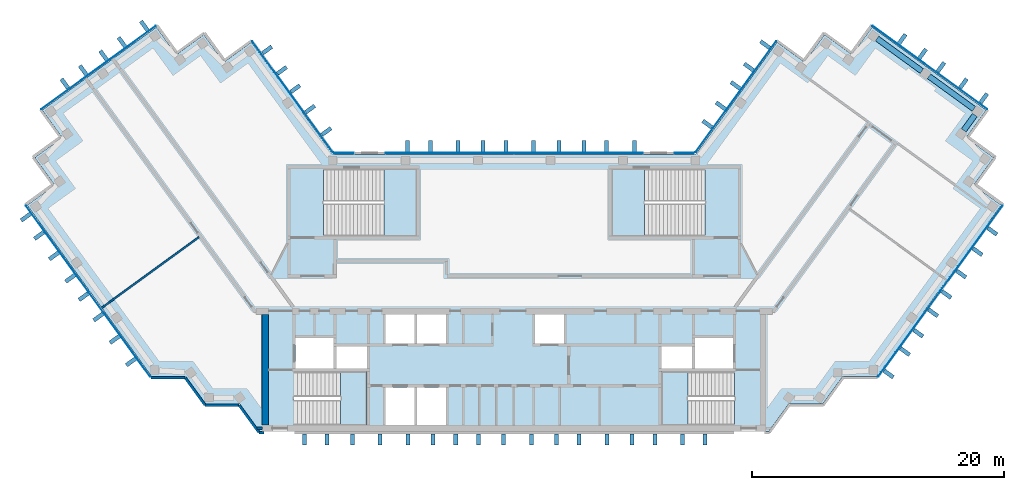
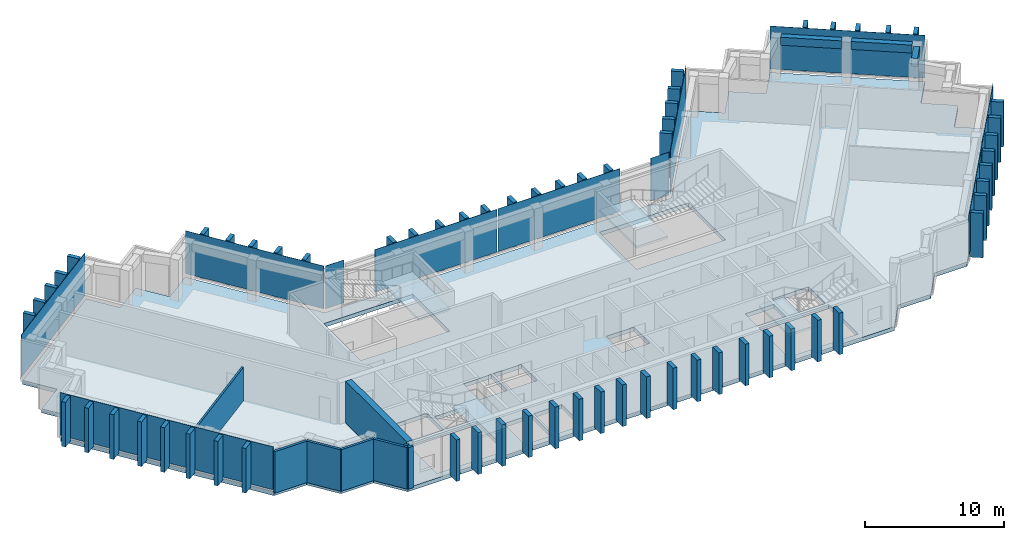
"""IFC4 building model written with IfcOpenShell, lengths in metres."""

from ifc_helpers import new_model, si_unit, direction, frame, frame_2d, origin, origin_2d, place, context, subcontext, project, spatial, polyline, rectangle, outline, extrude, material, layer, layer_set, material_profile, profile_set, type_object, element, aggregate, save


model = new_model("IFC4")

# Units and contexts
model_context = context("Model", 3, precision=1e-05, world=origin(), true_north=direction((0.0, 1.0)))
body_context = subcontext(model_context, "Body", "Model", "MODEL_VIEW")
ifc_project = project(units=[si_unit("LENGTHUNIT", "METRE"), si_unit("AREAUNIT", "SQUARE_METRE"), si_unit("VOLUMEUNIT", "CUBIC_METRE"), si_unit("PLANEANGLEUNIT", "RADIAN"), si_unit("MASSUNIT", "GRAM", prefix="KILO")], contexts=[model_context])

# Site, building, storey
site_placement = place(None, origin())
site = spatial("IfcSite", under=ifc_project, at=site_placement, CompositionType="ELEMENT")
building_placement = place(site_placement, origin())
building = spatial("IfcBuilding", under=site, at=building_placement, Name="Quipu Civic Tower", CompositionType="ELEMENT")
storey_1_placement = place(building_placement, frame((0.0, 0.0, 281.0)))
storey_1 = spatial("IfcBuildingStorey", under=building, at=storey_1_placement, Name="L65", CompositionType="ELEMENT", Elevation=281.0)

# Beams
ifc_material_1 = material(Name="Concrete C50/60", Category="concrete")
ifc_material_profile = material_profile(ifc_material_1, rectangle(XDim=0.449951171875, YDim=0.699951171875, at=origin_2d()), Name="RC450x700")
ifc_profile_set = profile_set([ifc_material_profile], Name="Concrete C50/60")
beam_type = type_object("IfcBeamType", Name="Spandrel beam RC 450x700 C50/60", PredefinedType="SPANDREL", material=ifc_profile_set)
beam_1_placement = place(storey_1_placement, frame((35.6767578125, 12.8994140625, 3.300048828125), z_axis=(0.588345920092, 0.808609348394, 0.0), x_axis=(-0.808609348394, 0.588345920092, 0.0)))
element("IfcBeam", 1, at=beam_1_placement, inside=storey_1, type_object=beam_type, Name="Spandrel beam L65 T-Eo.3-E22 to T-Eo.4-E22", PredefinedType="SPANDREL", context=body_context, shape_type="SweptSolid", body=[
    extrude(rectangle(XDim=0.449951171875, YDim=0.699951171875, at=origin_2d()), origin(), (0.0, 0.0, 1.0), 1.499755859375),
])
beam_2_placement = place(storey_1_placement, frame((36.481689453125, 14.6005859375, 3.300048828125), z_axis=(-0.809117270763, 0.587647208921, 0.0), x_axis=(-0.587647208921, -0.809117270763, 0.0)))
element("IfcBeam", 2, at=beam_2_placement, inside=storey_1, type_object=beam_type, Name="Spandrel beam L65 T-Eo.4-E22 to TIP-E-01-E22", PredefinedType="SPANDREL", context=body_context, shape_type="SweptSolid", body=[
    extrude(rectangle(XDim=0.449951171875, YDim=0.699951171875, at=origin_2d()), origin(), (0.0, 0.0, 1.0), 4.40185546875),
])
beam_3_placement = place(storey_1_placement, frame((32.353759765625, 17.5986328125, 3.300048828125), z_axis=(-0.809146152767, 0.587607439931, 0.0), x_axis=(-0.587607439931, -0.809146152767, 0.0)))
element("IfcBeam", 3, at=beam_3_placement, inside=storey_1, type_object=beam_type, Name="Spandrel beam L65 TIP-E-01-E22 to T-Ei.0-E22", PredefinedType="SPANDREL", context=body_context, shape_type="SweptSolid", body=[
    extrude(rectangle(XDim=0.449951171875, YDim=0.699951171875, at=origin_2d()), origin(), (0.0, 0.0, 1.0), 4.400390625),
])

# Slab
ifc_material_2 = material(Name="Concrete C40/50", Category="concrete")
ifc_layer_1 = layer(ifc_material_2, 0.35009765625)
ifc_layer_set_1 = layer_set([ifc_layer_1], Name="Concrete C40/50")
slab_type_1 = type_object("IfcSlabType", Name="Floor slab 350 C40/50", PredefinedType="FLOOR", material=ifc_layer_set_1)
slab_1_placement = place(storey_1_placement, frame((0.0, 0.0, -0.35009765625)))
element("IfcSlab", 4, at=slab_1_placement, inside=storey_1, type_object=slab_type_1, Name="Floor slab L65", PredefinedType="FLOOR", context=body_context, shape_type="SweptSolid", body=[
    extrude(outline(polyline([(20.860107421875, 19.89501953125), (23.0400390625, 18.31005859375), (24.6298828125, 20.4951171875), (26.81494140625, 18.905029296875), (28.39990234375, 21.090087890625), (37.4599609375, 14.5048828125), (35.875, 12.320068359375), (38.06005859375, 10.735107421875), (36.469970703125, 8.550048828125), (38.655029296875, 6.965087890625), (28.780029296875, -6.6298828125), (26.080078125, -6.6298828125), (24.489990234375, -8.81494140625), (21.7900390625, -8.81494140625), (20.205078125, -11.0), (-20.205078125, -11.0), (-21.7900390625, -8.81494140625), (-24.489990234375, -8.81494140625), (-26.080078125, -6.6298828125), (-28.780029296875, -6.6298828125), (-38.655029296875, 6.965087890625), (-36.469970703125, 8.550048828125), (-38.06005859375, 10.735107421875), (-35.875, 12.320068359375), (-37.4599609375, 14.5048828125), (-28.39990234375, 21.090087890625), (-26.81494140625, 18.905029296875), (-24.6298828125, 20.4951171875), (-23.0400390625, 18.31005859375), (-20.860107421875, 19.89501953125), (-14.39501953125, 11.0), (14.39501953125, 11.0), (20.860107421875, 19.89501953125)]), holes=[polyline([(-10.199951171875, -10.5), (-7.89990234375, -10.5), (-7.89990234375, -7.5), (-10.199951171875, -7.5), (-10.199951171875, -10.5)]), polyline([(-7.699951171875, -7.5), (-7.699951171875, -10.5), (-5.39990234375, -10.5), (-5.39990234375, -7.5), (-7.699951171875, -7.5)]), polyline([(-11.705078125, -6.2548828125), (-17.4951171875, -6.2548828125), (-17.4951171875, -10.4951171875), (-11.705078125, -10.4951171875), (-11.705078125, -6.2548828125)]), polyline([(-14.10009765625, -6.0), (-11.699951171875, -6.0), (-11.699951171875, -4.25), (-14.10009765625, -4.25), (-14.10009765625, -6.0)]), polyline([(-17.35009765625, -3.60009765625), (-17.35009765625, -6.0), (-14.35009765625, -6.0), (-14.35009765625, -3.60009765625), (-17.35009765625, -3.60009765625)]), polyline([(-10.199951171875, -1.699951171875), (-10.199951171875, -4.0), (-7.89990234375, -4.0), (-7.89990234375, -1.699951171875), (-10.199951171875, -1.699951171875)]), polyline([(-15.14501953125, 9.844970703125), (-15.14501953125, 4.5048828125), (-7.7548828125, 4.5048828125), (-7.7548828125, 9.844970703125), (-15.14501953125, 9.844970703125)]), polyline([(11.705078125, -10.4951171875), (17.4951171875, -10.4951171875), (17.4951171875, -6.2548828125), (11.705078125, -6.2548828125), (11.705078125, -10.4951171875)]), polyline([(11.699951171875, -4.25), (11.699951171875, -6.0), (14.10009765625, -6.0), (14.10009765625, -4.25), (11.699951171875, -4.25)]), polyline([(14.35009765625, -3.60009765625), (14.35009765625, -6.0), (17.35009765625, -6.0), (17.35009765625, -3.60009765625), (14.35009765625, -3.60009765625)]), polyline([(-7.699951171875, -1.699951171875), (-7.699951171875, -4.0), (-5.39990234375, -4.0), (-5.39990234375, -1.699951171875), (-7.699951171875, -1.699951171875)]), polyline([(1.64990234375, -1.699951171875), (1.64990234375, -4.0), (3.949951171875, -4.0), (3.949951171875, -1.699951171875), (1.64990234375, -1.699951171875)]), polyline([(7.7548828125, 4.5048828125), (15.14501953125, 4.5048828125), (15.14501953125, 9.844970703125), (7.7548828125, 9.844970703125), (7.7548828125, 4.5048828125)])]), origin(), (0.0, 0.0, 1.0), 0.35009765625),
])

# Storey
storey_2_placement = place(building_placement, frame((0.0, 0.0, 285.0)))
storey_2 = spatial("IfcBuildingStorey", under=building, at=storey_2_placement, Name="L66", CompositionType="ELEMENT", Elevation=285.0)

# Curtain wall, plate
ifc_material_3 = material(Name="Insulated glass unit", Category="glass")
curtain_wall_type = type_object("IfcCurtainWallType", Name="Office curtain wall CW1", PredefinedType="NOTDEFINED", material=ifc_material_3)
curtain_wall_1_placement = place(storey_2_placement, origin())
curtain_wall_1 = element("IfcCurtainWall", 5, at=curtain_wall_1_placement, inside=storey_2, type_object=curtain_wall_type, Name="Office curtain wall CW1 L65 run 1", PredefinedType="NOTDEFINED")
ifc_material_4 = material(Name="Insulated glass unit", Category="glass")
ifc_layer_2 = layer(ifc_material_4, 0.028076171875)
ifc_layer_set_2 = layer_set([ifc_layer_2], Name="Insulated glass unit")
plate_type_1 = type_object("IfcPlateType", Name="Glass panel CW1", PredefinedType="CURTAIN_PANEL", material=ifc_layer_set_2)
plate_1_placement = place(storey_1_placement, frame((-17.590087890625, 15.5673828125, 0.240234375), z_axis=(0.0, 0.0, 1.0), x_axis=(-0.587787771652, 0.809015163947, 0.0)))
plate_1 = element("IfcPlate", 6, at=plate_1_placement, inside=storey_1, type_object=plate_type_1, Name="CW1 panel 1.1", PredefinedType="CURTAIN_PANEL", context=body_context, shape_type="SweptSolid", body=[
    extrude(rectangle(XDim=10.88427734375, YDim=0.028076171875, at=origin_2d()), origin(), (0.0, 0.0, 1.0), 3.760009765625),
])
aggregate(curtain_wall_1, [plate_1])

curtain_wall_2_placement = place(storey_2_placement, origin())
curtain_wall_2 = element("IfcCurtainWall", 7, at=curtain_wall_2_placement, inside=storey_2, type_object=curtain_wall_type, Name="Office curtain wall CW1 L65 run 6", PredefinedType="NOTDEFINED")
plate_2_placement = place(storey_1_placement, frame((-32.989990234375, 17.87939453125, 0.240234375), z_axis=(0.0, 0.0, 1.0), x_axis=(-0.809015176832, -0.587787753918, 0.0)))
plate_2 = element("IfcPlate", 8, at=plate_2_placement, inside=storey_1, type_object=plate_type_1, Name="CW1 panel 1.1", PredefinedType="CURTAIN_PANEL", context=body_context, shape_type="SweptSolid", body=[
    extrude(rectangle(XDim=11.239990234375, YDim=0.028076171875, at=origin_2d()), origin(), (0.0, 0.0, 1.0), 3.760009765625),
])
aggregate(curtain_wall_2, [plate_2])

# Curtain wall, plates
curtain_wall_3_placement = place(storey_2_placement, origin())
curtain_wall_3 = element("IfcCurtainWall", 9, at=curtain_wall_3_placement, inside=storey_2, type_object=curtain_wall_type, Name="Office curtain wall CW1 L65 run 11", PredefinedType="NOTDEFINED")
plate_3_placement = place(storey_1_placement, frame((-36.292724609375, 3.54052734375, 0.240234375), z_axis=(0.0, 0.0, 1.0), x_axis=(0.587786237643, -0.809016278475, 0.0)))
plate_3 = element("IfcPlate", 10, at=plate_3_placement, inside=storey_1, type_object=plate_type_1, Name="CW1 panel 1.1", PredefinedType="CURTAIN_PANEL", context=body_context, shape_type="SweptSolid", body=[
    extrude(rectangle(XDim=8.35791015625, YDim=0.028076171875, at=origin_2d()), origin(), (0.0, 0.0, 1.0), 3.760009765625),
])
plate_4_placement = place(storey_1_placement, frame((-31.333251953125, -3.285888671875, 0.240234375), z_axis=(0.0, 0.0, 1.0), x_axis=(0.587786237643, -0.809016278475, 0.0)))
plate_4 = element("IfcPlate", 11, at=plate_4_placement, inside=storey_1, type_object=plate_type_1, Name="CW1 panel 2.1", PredefinedType="CURTAIN_PANEL", context=body_context, shape_type="SweptSolid", body=[
    extrude(rectangle(XDim=8.35791015625, YDim=0.028076171875, at=origin_2d()), origin(), (0.0, 0.0, 1.0), 3.760009765625),
])
aggregate(curtain_wall_3, [plate_3, plate_4])

curtain_wall_4_placement = place(storey_2_placement, origin())
curtain_wall_4 = element("IfcCurtainWall", 12, at=curtain_wall_4_placement, inside=storey_2, type_object=curtain_wall_type, Name="Office curtain wall CW1 L65 run 23", PredefinedType="NOTDEFINED")
plate_5_placement = place(storey_1_placement, frame((31.333251953125, -3.285888671875, 0.240234375), z_axis=(0.0, 0.0, 1.0), x_axis=(0.587786237643, 0.809016278475, 0.0)))
plate_5 = element("IfcPlate", 13, at=plate_5_placement, inside=storey_1, type_object=plate_type_1, Name="CW1 panel 1.1", PredefinedType="CURTAIN_PANEL", context=body_context, shape_type="SweptSolid", body=[
    extrude(rectangle(XDim=8.35791015625, YDim=0.028076171875, at=origin_2d()), origin(), (0.0, 0.0, 1.0), 3.760009765625),
])
plate_6_placement = place(storey_1_placement, frame((36.292724609375, 3.54052734375, 0.240234375), z_axis=(0.0, 0.0, 1.0), x_axis=(0.587786237643, 0.809016278475, 0.0)))
plate_6 = element("IfcPlate", 14, at=plate_6_placement, inside=storey_1, type_object=plate_type_1, Name="CW1 panel 2.1", PredefinedType="CURTAIN_PANEL", context=body_context, shape_type="SweptSolid", body=[
    extrude(rectangle(XDim=8.35791015625, YDim=0.028076171875, at=origin_2d()), origin(), (0.0, 0.0, 1.0), 3.760009765625),
])
aggregate(curtain_wall_4, [plate_5, plate_6])

# Curtain wall, plate
curtain_wall_5_placement = place(storey_2_placement, origin())
curtain_wall_5 = element("IfcCurtainWall", 15, at=curtain_wall_5_placement, inside=storey_2, type_object=curtain_wall_type, Name="Office curtain wall CW1 L65 run 28", PredefinedType="NOTDEFINED")
plate_7_placement = place(storey_1_placement, frame((32.989990234375, 17.87939453125, 0.240234375), z_axis=(0.0, 0.0, 1.0), x_axis=(-0.809015176832, 0.587787753918, 0.0)))
plate_7 = element("IfcPlate", 16, at=plate_7_placement, inside=storey_1, type_object=plate_type_1, Name="CW1 panel 1.1", PredefinedType="CURTAIN_PANEL", context=body_context, shape_type="SweptSolid", body=[
    extrude(rectangle(XDim=11.239990234375, YDim=0.028076171875, at=origin_2d()), origin(), (0.0, 0.0, 1.0), 3.760009765625),
])
aggregate(curtain_wall_5, [plate_7])

curtain_wall_6_placement = place(storey_2_placement, origin())
curtain_wall_6 = element("IfcCurtainWall", 17, at=curtain_wall_6_placement, inside=storey_2, type_object=curtain_wall_type, Name="Office curtain wall CW1 L65 run 33", PredefinedType="NOTDEFINED")
plate_8_placement = place(storey_1_placement, frame((17.590087890625, 15.5673828125, 0.240234375), z_axis=(0.0, 0.0, 1.0), x_axis=(-0.587787771652, -0.809015163947, 0.0)))
plate_8 = element("IfcPlate", 18, at=plate_8_placement, inside=storey_1, type_object=plate_type_1, Name="CW1 panel 1.1", PredefinedType="CURTAIN_PANEL", context=body_context, shape_type="SweptSolid", body=[
    extrude(rectangle(XDim=10.88427734375, YDim=0.028076171875, at=origin_2d()), origin(), (0.0, 0.0, 1.0), 3.760009765625),
])
aggregate(curtain_wall_6, [plate_8])

curtain_wall_7_placement = place(storey_2_placement, origin())
curtain_wall_7 = element("IfcCurtainWall", 19, at=curtain_wall_7_placement, inside=storey_2, type_object=curtain_wall_type, Name="Office curtain wall CW1 L65 run 34", PredefinedType="NOTDEFINED")
plate_9_placement = place(storey_1_placement, frame((13.49951171875, 11.10009765625, 0.240234375), z_axis=(0.0, 0.0, 1.0), x_axis=(-1.0, 0.0, 0.0)))
plate_9 = element("IfcPlate", 20, at=plate_9_placement, inside=storey_1, type_object=plate_type_1, Name="CW1 panel 1.1", PredefinedType="CURTAIN_PANEL", context=body_context, shape_type="SweptSolid", body=[
    extrude(rectangle(XDim=1.529296875, YDim=0.028076171875, at=origin_2d()), origin(), (0.0, 0.0, 1.0), 3.760009765625),
])
aggregate(curtain_wall_7, [plate_9])

# Curtain wall, plates
curtain_wall_8_placement = place(storey_2_placement, origin())
curtain_wall_8 = element("IfcCurtainWall", 21, at=curtain_wall_8_placement, inside=storey_2, type_object=curtain_wall_type, Name="Office curtain wall CW1 L65 run 36", PredefinedType="NOTDEFINED")
plate_10_placement = place(storey_1_placement, frame((5.11181640625, 11.10009765625, 0.240234375), z_axis=(0.0, 0.0, 1.0), x_axis=(-1.0, 0.0, 0.0)))
plate_10 = element("IfcPlate", 22, at=plate_10_placement, inside=storey_1, type_object=plate_type_1, Name="CW1 panel 1.1", PredefinedType="CURTAIN_PANEL", context=body_context, shape_type="SweptSolid", body=[
    extrude(rectangle(XDim=10.1435546875, YDim=0.028076171875, at=origin_2d()), origin(), (0.0, 0.0, 1.0), 3.760009765625),
])
plate_11_placement = place(storey_1_placement, frame((-5.11181640625, 11.10009765625, 0.240234375), z_axis=(0.0, 0.0, 1.0), x_axis=(-1.0, 0.0, 0.0)))
plate_11 = element("IfcPlate", 23, at=plate_11_placement, inside=storey_1, type_object=plate_type_1, Name="CW1 panel 2.1", PredefinedType="CURTAIN_PANEL", context=body_context, shape_type="SweptSolid", body=[
    extrude(rectangle(XDim=10.1435546875, YDim=0.028076171875, at=origin_2d()), origin(), (0.0, 0.0, 1.0), 3.760009765625),
])
aggregate(curtain_wall_8, [plate_10, plate_11])

# Curtain wall, plate
curtain_wall_9_placement = place(storey_2_placement, origin())
curtain_wall_9 = element("IfcCurtainWall", 24, at=curtain_wall_9_placement, inside=storey_2, type_object=curtain_wall_type, Name="Office curtain wall CW1 L65 run 38", PredefinedType="NOTDEFINED")
plate_12_placement = place(storey_1_placement, frame((-13.49951171875, 11.10009765625, 0.240234375), z_axis=(0.0, 0.0, 1.0), x_axis=(-1.0, 0.0, 0.0)))
plate_12 = element("IfcPlate", 25, at=plate_12_placement, inside=storey_1, type_object=plate_type_1, Name="CW1 panel 1.1", PredefinedType="CURTAIN_PANEL", context=body_context, shape_type="SweptSolid", body=[
    extrude(rectangle(XDim=1.529296875, YDim=0.028076171875, at=origin_2d()), origin(), (0.0, 0.0, 1.0), 3.760009765625),
])
aggregate(curtain_wall_9, [plate_12])

# Plates
ifc_material_5 = material(Name="Precast concrete C40/50", Category="concrete")
plate_type_2 = type_object("IfcPlateType", Name="Precast fin F3", PredefinedType="SHEET", material=ifc_material_5)
for number, where, z_axis, x_axis, name in (
    (26, (-14.90380859375, 12.805908203125, 0.080078125), (0.0, 0.0, 1.0), (-0.58778443384, 0.809017589015, 0.0), "Precast fin F3 L65.1.1"),
    (27, (-16.197021484375, 14.585693359375, 0.080078125), (0.0, 0.0, 1.0), (-0.58778443384, 0.809017589015, 0.0), "Precast fin F3 L65.1.2"),
    (28, (-17.37255859375, 16.203857421875, 0.080078125), (0.0, 0.0, 1.0), (-0.58778443384, 0.809017589015, 0.0), "Precast fin F3 L65.1.3"),
    (29, (-18.4306640625, 17.66015625, 0.080078125), (0.0, 0.0, 1.0), (-0.58778443384, 0.809017589015, 0.0), "Precast fin F3 L65.1.4"),
    (30, (-19.606201171875, 19.278076171875, 0.080078125), (0.0, 0.0, 1.0), (-0.58778443384, 0.809017589015, 0.0), "Precast fin F3 L65.1.5"),
    (31, (-29.357177734375, 21.198486328125, 0.080078125), (0.0, 0.0, 1.0), (-0.809017072762, -0.587785144401, 0.0), "Precast fin F3 L65.6.1"),
    (32, (-31.13720703125, 19.905517578125, 0.080078125), (0.0, 0.0, 1.0), (-0.809017072762, -0.587785144401, 0.0), "Precast fin F3 L65.6.2"),
    (33, (-32.59326171875, 18.847412109375, 0.080078125), (0.0, 0.0, 1.0), (-0.809017072762, -0.587785144401, 0.0), "Precast fin F3 L65.6.3"),
    (34, (-34.21142578125, 17.671875, 0.080078125), (0.0, 0.0, 1.0), (-0.809017072762, -0.587785144401, 0.0), "Precast fin F3 L65.6.4"),
    (35, (-35.66748046875, 16.61376953125, 0.080078125), (0.0, 0.0, 1.0), (-0.809017072762, -0.587785144401, 0.0), "Precast fin F3 L65.6.5"),
    (36, (-38.764892578125, 6.007568359375, 0.080078125), (0.0, 0.0, 1.0), (0.587786668783, -0.809015965233, 0.0), "Precast fin F3 L65.11.1"),
    (37, (-37.70703125, 4.55126953125, 0.080078125), (0.0, 0.0, 1.0), (0.587786668783, -0.809015965233, 0.0), "Precast fin F3 L65.11.2"),
    (38, (-36.53125, 2.933349609375, 0.080078125), (0.0, 0.0, 1.0), (0.587786668783, -0.809015965233, 0.0), "Precast fin F3 L65.11.3"),
    (39, (-35.23828125, 1.1533203125, 0.080078125), (0.0, 0.0, 1.0), (0.587786668783, -0.809015965233, 0.0), "Precast fin F3 L65.11.4"),
    (40, (-34.18017578125, -0.302734375, 0.080078125), (0.0, 0.0, 1.0), (0.587786668783, -0.809015965233, 0.0), "Precast fin F3 L65.11.5"),
    (41, (-33.004638671875, -1.9208984375, 0.080078125), (0.0, 0.0, 1.0), (0.587786668783, -0.809015965233, 0.0), "Precast fin F3 L65.11.6"),
    (42, (-31.71142578125, -3.70068359375, 0.080078125), (0.0, 0.0, 1.0), (0.587786668783, -0.809015965233, 0.0), "Precast fin F3 L65.11.7"),
    (43, (-30.41845703125, -5.48046875, 0.080078125), (0.0, 0.0, 1.0), (0.587786668783, -0.809015965233, 0.0), "Precast fin F3 L65.11.8"),
):
    element("IfcPlate", number, at=place(storey_1_placement, frame(where, z_axis=z_axis, x_axis=x_axis)), inside=storey_1, type_object=plate_type_2, Name=name, PredefinedType="SHEET", context=body_context, shape_type="SweptSolid", body=[
        extrude(rectangle(XDim=0.320068359375, YDim=0.89990234375, at=origin_2d()), origin(), (0.0, 0.0, 1.0), 3.919921875),
    ])
for number, where, z_axis, x_axis, name in (
    (44, (-16.639892578125, -11.637939453125, 0.0), (0.0, 0.0, 1.0), (1.0, 0.0, 0.0), "Precast fin F3 L65.17.1"),
    (45, (-14.840087890625, -11.637939453125, 0.0), (0.0, 0.0, 1.0), (1.0, 0.0, 0.0), "Precast fin F3 L65.17.2"),
    (46, (-12.840087890625, -11.637939453125, 0.0), (0.0, 0.0, 1.0), (1.0, 0.0, 0.0), "Precast fin F3 L65.17.3"),
    (47, (-10.639892578125, -11.637939453125, 0.0), (0.0, 0.0, 1.0), (1.0, 0.0, 0.0), "Precast fin F3 L65.17.4"),
    (48, (-8.43994140625, -11.637939453125, 0.0), (0.0, 0.0, 1.0), (1.0, 0.0, 0.0), "Precast fin F3 L65.17.5"),
    (49, (-6.43994140625, -11.637939453125, 0.0), (0.0, 0.0, 1.0), (1.0, 0.0, 0.0), "Precast fin F3 L65.17.6"),
    (50, (-4.639892578125, -11.637939453125, 0.0), (0.0, 0.0, 1.0), (1.0, 0.0, 0.0), "Precast fin F3 L65.17.7"),
    (51, (-2.840087890625, -11.637939453125, 0.0), (0.0, 0.0, 1.0), (1.0, 0.0, 0.0), "Precast fin F3 L65.17.8"),
    (52, (-0.840087890625, -11.637939453125, 0.0), (0.0, 0.0, 1.0), (1.0, 0.0, 0.0), "Precast fin F3 L65.17.9"),
    (53, (1.360107421875, -11.637939453125, 0.0), (0.0, 0.0, 1.0), (1.0, 0.0, 0.0), "Precast fin F3 L65.17.10"),
    (54, (3.360107421875, -11.637939453125, 0.0), (0.0, 0.0, 1.0), (1.0, 0.0, 0.0), "Precast fin F3 L65.17.11"),
    (55, (5.159912109375, -11.637939453125, 0.0), (0.0, 0.0, 1.0), (1.0, 0.0, 0.0), "Precast fin F3 L65.17.12"),
    (56, (7.360107421875, -11.637939453125, 0.0), (0.0, 0.0, 1.0), (1.0, 0.0, 0.0), "Precast fin F3 L65.17.13"),
    (57, (9.360107421875, -11.637939453125, 0.0), (0.0, 0.0, 1.0), (1.0, 0.0, 0.0), "Precast fin F3 L65.17.14"),
    (58, (11.159912109375, -11.637939453125, 0.0), (0.0, 0.0, 1.0), (1.0, 0.0, 0.0), "Precast fin F3 L65.17.15"),
    (59, (13.360107421875, -11.637939453125, 0.0), (0.0, 0.0, 1.0), (1.0, 0.0, 0.0), "Precast fin F3 L65.17.16"),
    (60, (15.159912109375, -11.637939453125, 0.0), (0.0, 0.0, 1.0), (1.0, 0.0, 0.0), "Precast fin F3 L65.17.17"),
):
    element("IfcPlate", number, at=place(storey_1_placement, frame(where, z_axis=z_axis, x_axis=x_axis)), inside=storey_1, type_object=plate_type_2, Name=name, PredefinedType="SHEET", context=body_context, shape_type="SweptSolid", body=[
        extrude(rectangle(XDim=0.320068359375, YDim=0.89990234375, at=origin_2d()), origin(), (0.0, 0.0, 1.0), 3.64990234375),
    ])
for number, where, z_axis, x_axis, name in (
    (61, (29.721923828125, -6.43896484375, 0.080078125), (0.0, 0.0, 1.0), (0.587786668783, 0.809015965233, 0.0), "Precast fin F3 L65.23.1"),
    (62, (31.01513671875, -4.6591796875, 0.080078125), (0.0, 0.0, 1.0), (0.587786668783, 0.809015965233, 0.0), "Precast fin F3 L65.23.2"),
    (63, (32.0732421875, -3.202880859375, 0.080078125), (0.0, 0.0, 1.0), (0.587786668783, 0.809015965233, 0.0), "Precast fin F3 L65.23.3"),
    (64, (33.248779296875, -1.5849609375, 0.080078125), (0.0, 0.0, 1.0), (0.587786668783, 0.809015965233, 0.0), "Precast fin F3 L65.23.4"),
    (65, (34.306640625, -0.128662109375, 0.080078125), (0.0, 0.0, 1.0), (0.587786668783, 0.809015965233, 0.0), "Precast fin F3 L65.23.5"),
    (66, (35.482177734375, 1.489501953125, 0.080078125), (0.0, 0.0, 1.0), (0.587786668783, 0.809015965233, 0.0), "Precast fin F3 L65.23.6"),
    (67, (36.775390625, 3.269287109375, 0.080078125), (0.0, 0.0, 1.0), (0.587786668783, 0.809015965233, 0.0), "Precast fin F3 L65.23.7"),
    (68, (37.950927734375, 4.88720703125, 0.080078125), (0.0, 0.0, 1.0), (0.587786668783, 0.809015965233, 0.0), "Precast fin F3 L65.23.8"),
    (69, (37.26953125, 15.449951171875, 0.080078125), (0.0, 0.0, 1.0), (-0.809017072762, 0.587785144401, 0.0), "Precast fin F3 L65.28.1"),
    (70, (35.6513671875, 16.62548828125, 0.080078125), (0.0, 0.0, 1.0), (-0.809017072762, 0.587785144401, 0.0), "Precast fin F3 L65.28.2"),
    (71, (33.87158203125, 17.918701171875, 0.080078125), (0.0, 0.0, 1.0), (-0.809017072762, 0.587785144401, 0.0), "Precast fin F3 L65.28.3"),
    (72, (32.415283203125, 18.976806640625, 0.080078125), (0.0, 0.0, 1.0), (-0.809017072762, 0.587785144401, 0.0), "Precast fin F3 L65.28.4"),
    (73, (30.79736328125, 20.15234375, 0.080078125), (0.0, 0.0, 1.0), (-0.809017072762, 0.587785144401, 0.0), "Precast fin F3 L65.28.5"),
    (74, (19.914794921875, 19.702880859375, 0.080078125), (0.0, 0.0, 1.0), (-0.58778443384, -0.809017589015, 0.0), "Precast fin F3 L65.33.1"),
    (75, (18.62158203125, 17.923095703125, 0.080078125), (0.0, 0.0, 1.0), (-0.58778443384, -0.809017589015, 0.0), "Precast fin F3 L65.33.2"),
    (76, (17.563720703125, 16.466796875, 0.080078125), (0.0, 0.0, 1.0), (-0.58778443384, -0.809017589015, 0.0), "Precast fin F3 L65.33.3"),
    (77, (16.38818359375, 14.848876953125, 0.080078125), (0.0, 0.0, 1.0), (-0.58778443384, -0.809017589015, 0.0), "Precast fin F3 L65.33.4"),
    (78, (15.330078125, 13.392578125, 0.080078125), (0.0, 0.0, 1.0), (-0.58778443384, -0.809017589015, 0.0), "Precast fin F3 L65.33.5"),
    (79, (9.5400390625, 11.64990234375, 0.080078125), (0.0, 0.0, 1.0), (-1.0, 0.0, 0.0), "Precast fin F3 L65.36.1"),
    (80, (7.340087890625, 11.64990234375, 0.080078125), (0.0, 0.0, 1.0), (-1.0, 0.0, 0.0), "Precast fin F3 L65.36.2"),
    (81, (5.5400390625, 11.64990234375, 0.080078125), (0.0, 0.0, 1.0), (-1.0, 0.0, 0.0), "Precast fin F3 L65.36.3"),
    (82, (3.5400390625, 11.64990234375, 0.080078125), (0.0, 0.0, 1.0), (-1.0, 0.0, 0.0), "Precast fin F3 L65.36.4"),
    (83, (1.5400390625, 11.64990234375, 0.080078125), (0.0, 0.0, 1.0), (-1.0, 0.0, 0.0), "Precast fin F3 L65.36.5"),
    (84, (-0.659912109375, 11.64990234375, 0.080078125), (0.0, 0.0, 1.0), (-1.0, 0.0, 0.0), "Precast fin F3 L65.36.6"),
    (85, (-2.4599609375, 11.64990234375, 0.080078125), (0.0, 0.0, 1.0), (-1.0, 0.0, 0.0), "Precast fin F3 L65.36.7"),
    (86, (-4.4599609375, 11.64990234375, 0.080078125), (0.0, 0.0, 1.0), (-1.0, 0.0, 0.0), "Precast fin F3 L65.36.8"),
    (87, (-6.659912109375, 11.64990234375, 0.080078125), (0.0, 0.0, 1.0), (-1.0, 0.0, 0.0), "Precast fin F3 L65.36.9"),
    (88, (-8.4599609375, 11.64990234375, 0.080078125), (0.0, 0.0, 1.0), (-1.0, 0.0, 0.0), "Precast fin F3 L65.36.10"),
):
    element("IfcPlate", number, at=place(storey_1_placement, frame(where, z_axis=z_axis, x_axis=x_axis)), inside=storey_1, type_object=plate_type_2, Name=name, PredefinedType="SHEET", context=body_context, shape_type="SweptSolid", body=[
        extrude(rectangle(XDim=0.320068359375, YDim=0.89990234375, at=origin_2d()), origin(), (0.0, 0.0, 1.0), 3.919921875),
    ])

# Stair, slab
ifc_material_6 = material(Name="Concrete C40/50", Category="concrete")
stair_type_1 = type_object("IfcStairType", Name="Half turn stair 2000", PredefinedType="HALF_TURN_STAIR", material=ifc_material_6)
stair_1_placement = place(storey_1_placement, origin())
stair_1 = element("IfcStair", 89, at=stair_1_placement, inside=storey_1, type_object=stair_type_1, Name="Exit stair 1", PredefinedType="HALF_TURN_STAIR")
ifc_material_7 = material(Name="Concrete C40/50", Category="concrete")
ifc_layer_3 = layer(ifc_material_7, 0.199951171875)
ifc_layer_set_3 = layer_set([ifc_layer_3], Name="Concrete C40/50")
slab_type_2 = type_object("IfcSlabType", Name="Stair landing 200", PredefinedType="LANDING", material=ifc_layer_set_3)
slab_2_placement = place(storey_1_placement, frame((0.0, 0.0, 1.800048828125)))
slab_2 = element("IfcSlab", 90, at=slab_2_placement, type_object=slab_type_2, Name="ST-1 landing 1", PredefinedType="LANDING", context=body_context, shape_type="SweptSolid", body=[
    extrude(outline(polyline([(-13.780029296875, -10.5), (-11.699951171875, -10.5), (-11.699951171875, -6.25), (-13.780029296875, -6.25), (-13.780029296875, -10.5)])), origin(), (0.0, 0.0, 1.0), 0.199951171875),
])
aggregate(stair_1, [slab_2])

stair_2_placement = place(storey_1_placement, origin())
stair_2 = element("IfcStair", 91, at=stair_2_placement, inside=storey_1, type_object=stair_type_1, Name="Exit stair 2", PredefinedType="HALF_TURN_STAIR")
slab_3_placement = place(storey_1_placement, frame((0.0, 0.0, 1.800048828125)))
slab_3 = element("IfcSlab", 92, at=slab_3_placement, type_object=slab_type_2, Name="ST-2 landing 1", PredefinedType="LANDING", context=body_context, shape_type="SweptSolid", body=[
    extrude(outline(polyline([(13.780029296875, -6.25), (11.699951171875, -6.25), (11.699951171875, -10.5), (13.780029296875, -10.5), (13.780029296875, -6.25)])), origin(), (0.0, 0.0, 1.0), 0.199951171875),
])
aggregate(stair_2, [slab_3])

ifc_material_8 = material(Name="Concrete C40/50", Category="concrete")
stair_type_2 = type_object("IfcStairType", Name="Half turn stair 2600", PredefinedType="HALF_TURN_STAIR", material=ifc_material_8)
stair_3_placement = place(storey_1_placement, origin())
stair_3 = element("IfcStair", 93, at=stair_3_placement, inside=storey_1, type_object=stair_type_2, Name="Exit stair 3", PredefinedType="HALF_TURN_STAIR")
slab_4_placement = place(storey_1_placement, frame((0.0, 0.0, 1.800048828125)))
slab_4 = element("IfcSlab", 94, at=slab_4_placement, type_object=slab_type_2, Name="ST-3 landing 1", PredefinedType="LANDING", context=body_context, shape_type="SweptSolid", body=[
    extrude(outline(polyline([(-10.35009765625, 4.5), (-7.75, 4.5), (-7.75, 9.85009765625), (-10.35009765625, 9.85009765625), (-10.35009765625, 4.5)])), origin(), (0.0, 0.0, 1.0), 0.199951171875),
])
aggregate(stair_3, [slab_4])

stair_4_placement = place(storey_1_placement, origin())
stair_4 = element("IfcStair", 95, at=stair_4_placement, inside=storey_1, type_object=stair_type_2, Name="Exit stair 4", PredefinedType="HALF_TURN_STAIR")
slab_5_placement = place(storey_1_placement, frame((0.0, 0.0, 1.800048828125)))
slab_5 = element("IfcSlab", 96, at=slab_5_placement, type_object=slab_type_2, Name="ST-4 landing 1", PredefinedType="LANDING", context=body_context, shape_type="SweptSolid", body=[
    extrude(outline(polyline([(10.35009765625, 9.85009765625), (7.75, 9.85009765625), (7.75, 4.5), (10.35009765625, 4.5), (10.35009765625, 9.85009765625)])), origin(), (0.0, 0.0, 1.0), 0.199951171875),
])
aggregate(stair_4, [slab_5])

# Walls
ifc_material_9 = material(Name="Double gypsum plasterboard with mineral wool")
ifc_layer_4 = layer(ifc_material_9, 0.14990234375)
ifc_layer_set_4 = layer_set([ifc_layer_4], Name="Double gypsum plasterboard with mineral wool")
wall_type_1 = type_object("IfcWallType", Name="Acoustic partition 150 plasterboard", PredefinedType="PARTITIONING", material=ifc_layer_set_4)
wall_1_placement = place(storey_1_placement, frame((-25.00830078125, 4.4267578125, 0.0), z_axis=(0.0, 0.0, 1.0), x_axis=(-0.808994684961, -0.587815957341, 0.0)))
element("IfcWall", 97, at=wall_1_placement, inside=storey_1, type_object=wall_type_1, Name="Partition P04", PredefinedType="PARTITIONING", context=body_context, shape_type="SweptSolid", body=[
    extrude(rectangle(XDim=9.55029296875, YDim=0.14990234375, at=frame_2d((4.775146484375, 0.0))), origin(), (0.0, 0.0, 1.0), 2.949951171875),
])
ifc_material_10 = material(Name="Concrete C70/85", Category="concrete")
ifc_layer_5 = layer(ifc_material_10, 0.5)
ifc_layer_set_5 = layer_set([ifc_layer_5], Name="Concrete C70/85")
wall_type_2 = type_object("IfcWallType", Name="Core wall 500", PredefinedType="SHEAR", material=ifc_layer_set_5)
wall_2_placement = place(storey_1_placement, frame((-19.75, -10.5, 0.0), z_axis=(0.0, 0.0, 1.0), x_axis=(0.0, 1.0, 0.0)))
element("IfcWall", 98, at=wall_2_placement, inside=storey_1, type_object=wall_type_2, Name="Core wall", PredefinedType="SHEAR", context=body_context, shape_type="SweptSolid", body=[
    extrude(rectangle(XDim=8.800048828125, YDim=0.5, at=frame_2d((4.39990234375, 0.0))), origin(), (0.0, 0.0, 1.0), 3.64990234375),
])
ifc_material_11 = material(Name="Precast concrete C40/50", Category="concrete")
wall_type_3 = type_object("IfcWallType", Name="Precast cladding wall", PredefinedType="SOLIDWALL", material=ifc_material_11)
wall_3_placement = place(storey_1_placement, frame((-28.829833984375, -6.71923828125, 0.0), z_axis=(0.0, 0.0, 1.0), x_axis=(1.0, 0.0, 0.0)))
element("IfcWall", 99, at=wall_3_placement, inside=storey_1, type_object=wall_type_3, Name="Precast cladding wall L65 12", PredefinedType="SOLIDWALL", context=body_context, shape_type="SweptSolid", body=[
    extrude(rectangle(XDim=2.699951171875, YDim=0.199951171875, at=frame_2d((1.35009765625, 0.0))), origin(), (0.0, 0.0, 1.0), 3.64990234375),
])
wall_4_placement = place(storey_1_placement, frame((-26.1201171875, -6.72412109375, 0.0), z_axis=(0.0, 0.0, 1.0), x_axis=(0.587720002413, -0.809064397168, 0.0)))
element("IfcWall", 100, at=wall_4_placement, inside=storey_1, type_object=wall_type_3, Name="Precast cladding wall L65 13", PredefinedType="SOLIDWALL", context=body_context, shape_type="SweptSolid", body=[
    extrude(rectangle(XDim=2.7001953125, YDim=0.199951171875, at=frame_2d((1.35009765625, 0.0))), origin(), (0.0, 0.0, 1.0), 3.64990234375),
])
wall_5_placement = place(storey_1_placement, frame((-24.542724609375, -8.90380859375, 0.0), z_axis=(0.0, 0.0, 1.0), x_axis=(1.0, 0.0, 0.0)))
element("IfcWall", 101, at=wall_5_placement, inside=storey_1, type_object=wall_type_3, Name="Precast cladding wall L65 14", PredefinedType="SOLIDWALL", context=body_context, shape_type="SweptSolid", body=[
    extrude(rectangle(XDim=2.699951171875, YDim=0.199951171875, at=frame_2d((1.35009765625, 0.0))), origin(), (0.0, 0.0, 1.0), 3.64990234375),
])
wall_6_placement = place(storey_1_placement, frame((-21.8330078125, -8.90869140625, 0.0), z_axis=(0.0, 0.0, 1.0), x_axis=(0.587766567315, -0.809030569476, 0.0)))
element("IfcWall", 102, at=wall_6_placement, inside=storey_1, type_object=wall_type_3, Name="Precast cladding wall L65 15", PredefinedType="SOLIDWALL", context=body_context, shape_type="SweptSolid", body=[
    extrude(rectangle(XDim=2.687744140625, YDim=0.199951171875, at=frame_2d((1.34375, 0.0))), origin(), (0.0, 0.0, 1.0), 3.64990234375),
])
wall_7_placement = place(storey_1_placement, frame((-20.255859375, -11.087890625, 0.0), z_axis=(0.0, 0.0, 1.0), x_axis=(1.0, 0.0, 0.0)))
element("IfcWall", 103, at=wall_7_placement, inside=storey_1, type_object=wall_type_3, Name="Precast cladding wall L65 16", PredefinedType="SOLIDWALL", context=body_context, shape_type="SweptSolid", body=[
    extrude(rectangle(XDim=0.40576171875, YDim=0.199951171875, at=frame_2d((0.202880859375, 0.0))), origin(), (0.0, 0.0, 1.0), 3.64990234375),
])
wall_8_placement = place(storey_1_placement, frame((-19.97998046875, -10.75, 0.0), z_axis=(0.0, 0.0, 1.0), x_axis=(-1.0, 0.0, 0.0)))
element("IfcWall", 104, at=wall_8_placement, inside=storey_1, type_object=wall_type_3, Name="Precast cladding return L65 W", PredefinedType="SOLIDWALL", context=body_context, shape_type="SweptSolid", body=[
    extrude(rectangle(XDim=0.41650390625, YDim=0.199951171875, at=frame_2d((0.208251953125, 0.0))), origin(), (0.0, 0.0, 1.0), 3.64990234375),
])

save(model, "model.ifc")
